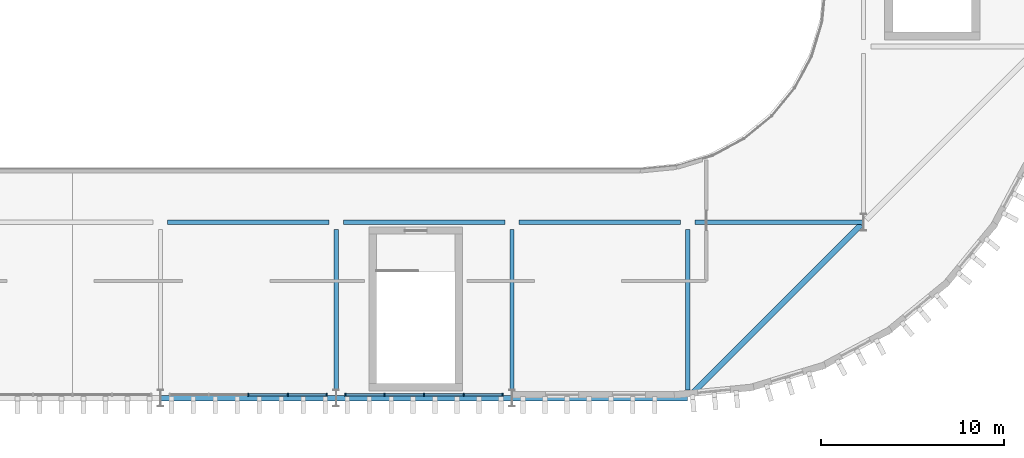
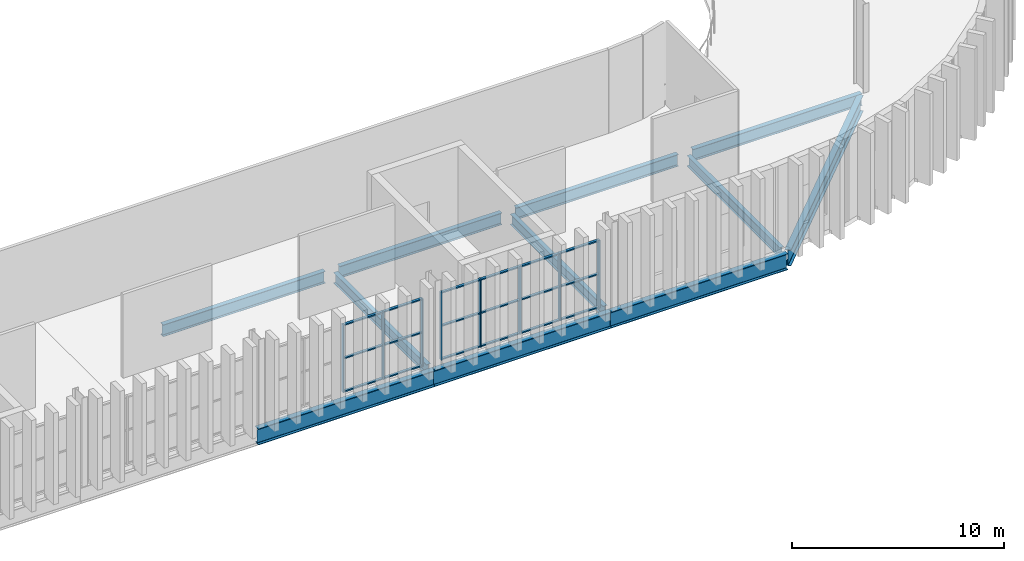
# One storey, part 14 of 45: 26 members, 11 beams, 2 elements without a shape of their own.
"""IFC4 building model written with IfcOpenShell, lengths in metres."""

from ifc_helpers import new_model, si_unit, direction, frame, origin, origin_2d, place, context, subcontext, project, spatial, rectangle, i_section, extrude, material, layer, layer_set, material_profile, profile_set, type_object, element, aggregate, save


model = new_model("IFC4")

# Units and contexts
model_context = context("Model", 3, precision=1e-05, world=origin(), true_north=direction((0.0, 1.0)))
body_context = subcontext(model_context, "Body", "Model", "MODEL_VIEW")
ifc_project = project(units=[si_unit("LENGTHUNIT", "METRE"), si_unit("AREAUNIT", "SQUARE_METRE"), si_unit("VOLUMEUNIT", "CUBIC_METRE"), si_unit("PLANEANGLEUNIT", "RADIAN"), si_unit("MASSUNIT", "GRAM", prefix="KILO")], contexts=[model_context])

# Site, building, storey
site_placement = place(None, origin())
site = spatial("IfcSite", under=ifc_project, at=site_placement, CompositionType="ELEMENT")
building_placement = place(site_placement, origin())
building = spatial("IfcBuilding", under=site, at=building_placement, Name="Caelomonte Colonnade Arena", CompositionType="ELEMENT")
storey_placement = place(building_placement, frame((0.0, 0.0, 23.10009765625)))
storey = spatial("IfcBuildingStorey", under=building, at=storey_placement, Name="L05", CompositionType="ELEMENT", Elevation=23.10009765625)

# Curtain wall, members
ifc_material_1 = material(Name="Bronze anodised aluminium and low-E glazing", Category="aluminium")
ifc_layer = layer(ifc_material_1, 0.179931640625)
ifc_layer_set = layer_set([ifc_layer], Name="Bronze anodised aluminium and low-E glazing")
curtain_wall_type = type_object("IfcCurtainWallType", Name="ENV-CW-CW-L05-96-39", PredefinedType="USERDEFINED", material=ifc_layer_set)
curtain_wall_1_placement = place(storey_placement, origin())
curtain_wall_1 = element("IfcCurtainWall", 1, at=curtain_wall_1_placement, inside=storey, type_object=curtain_wall_type, Name="L05 unitized curtain wall CW-L05-1200-0194", ObjectType="UNITIZED CURTAIN WALL", PredefinedType="USERDEFINED")
ifc_material_2 = material(Name="Bronze anodised aluminium AA6063-T6", Category="aluminium")
ifc_material_profile_1 = material_profile(ifc_material_2, rectangle(XDim=0.070068359375, YDim=0.179931640625, at=origin_2d()), Name="CWM-70X180")
ifc_profile_set_1 = profile_set([ifc_material_profile_1], Name="Bronze anodised aluminium AA6063-T6")
member_type_1 = type_object("IfcMemberType", Name="ENV-CW-MULL1", PredefinedType="MULLION", material=ifc_profile_set_1)
member_1_placement = place(storey_placement, frame((120.0, 19.3798828125, 0.0), z_axis=(0.0, 0.0, 1.0), x_axis=(1.0, 0.0, 0.0)))
member_1 = element("IfcMember", 2, at=member_1_placement, type_object=member_type_1, Name="CW-L05-96-39 mullion 3", PredefinedType="MULLION", context=body_context, shape_type="SweptSolid", body=[
    extrude(rectangle(XDim=0.070068359375, YDim=0.179931640625, at=origin_2d()), origin(), (0.0, 0.0, 1.0), 3.892822265625),
])
member_2_placement = place(storey_placement, frame((122.161376953125, 19.3798828125, 0.0), z_axis=(0.0, 0.0, 1.0), x_axis=(1.0, 0.0, 0.0)))
member_2 = element("IfcMember", 3, at=member_2_placement, type_object=member_type_1, Name="CW-L05-96-39 mullion 4", PredefinedType="MULLION", context=body_context, shape_type="SweptSolid", body=[
    extrude(rectangle(XDim=0.070068359375, YDim=0.179931640625, at=origin_2d()), origin(), (0.0, 0.0, 1.0), 3.892822265625),
])
member_3_placement = place(storey_placement, frame((124.287841796875, 19.3798828125, 0.0), z_axis=(0.0, 0.0, 1.0), x_axis=(1.0, 0.0, 0.0)))
member_3 = element("IfcMember", 4, at=member_3_placement, type_object=member_type_1, Name="CW-L05-96-39 mullion 5", PredefinedType="MULLION", context=body_context, shape_type="SweptSolid", body=[
    extrude(rectangle(XDim=0.070068359375, YDim=0.179931640625, at=origin_2d()), origin(), (0.0, 0.0, 1.0), 3.892822265625),
])

curtain_wall_2_placement = place(storey_placement, origin())
curtain_wall_2 = element("IfcCurtainWall", 5, at=curtain_wall_2_placement, inside=storey, type_object=curtain_wall_type, Name="L05 unitized curtain wall CW-L05-1296-0194", ObjectType="UNITIZED CURTAIN WALL", PredefinedType="USERDEFINED")
member_4_placement = place(storey_placement, frame((125.312255859375, 19.3798828125, 0.0), z_axis=(0.0, 0.0, 1.0), x_axis=(1.0, 0.0, 0.0)))
member_4 = element("IfcMember", 6, at=member_4_placement, type_object=member_type_1, Name="CW-L05-96-39 mullion 1", PredefinedType="MULLION", context=body_context, shape_type="SweptSolid", body=[
    extrude(rectangle(XDim=0.070068359375, YDim=0.179931640625, at=origin_2d()), origin(), (0.0, 0.0, 1.0), 3.892822265625),
])
member_5_placement = place(storey_placement, frame((127.438720703125, 19.3798828125, 0.0), z_axis=(0.0, 0.0, 1.0), x_axis=(1.0, 0.0, 0.0)))
member_5 = element("IfcMember", 7, at=member_5_placement, type_object=member_type_1, Name="CW-L05-96-39 mullion 2", PredefinedType="MULLION", context=body_context, shape_type="SweptSolid", body=[
    extrude(rectangle(XDim=0.070068359375, YDim=0.179931640625, at=origin_2d()), origin(), (0.0, 0.0, 1.0), 3.892822265625),
])
member_6_placement = place(storey_placement, frame((129.60009765625, 19.3798828125, 0.0), z_axis=(0.0, 0.0, 1.0), x_axis=(1.0, 0.0, 0.0)))
member_6 = element("IfcMember", 8, at=member_6_placement, type_object=member_type_1, Name="CW-L05-96-39 mullion 3", PredefinedType="MULLION", context=body_context, shape_type="SweptSolid", body=[
    extrude(rectangle(XDim=0.070068359375, YDim=0.179931640625, at=origin_2d()), origin(), (0.0, 0.0, 1.0), 3.892822265625),
])
member_7_placement = place(storey_placement, frame((131.761474609375, 19.3798828125, 0.0), z_axis=(0.0, 0.0, 1.0), x_axis=(1.0, 0.0, 0.0)))
member_7 = element("IfcMember", 9, at=member_7_placement, type_object=member_type_1, Name="CW-L05-96-39 mullion 4", PredefinedType="MULLION", context=body_context, shape_type="SweptSolid", body=[
    extrude(rectangle(XDim=0.070068359375, YDim=0.179931640625, at=origin_2d()), origin(), (0.0, 0.0, 1.0), 3.892822265625),
])
member_8_placement = place(storey_placement, frame((133.8876953125, 19.3798828125, 0.0), z_axis=(0.0, 0.0, 1.0), x_axis=(1.0, 0.0, 0.0)))
member_8 = element("IfcMember", 10, at=member_8_placement, type_object=member_type_1, Name="CW-L05-96-39 mullion 5", PredefinedType="MULLION", context=body_context, shape_type="SweptSolid", body=[
    extrude(rectangle(XDim=0.070068359375, YDim=0.179931640625, at=origin_2d()), origin(), (0.0, 0.0, 1.0), 3.892822265625),
])

# Member
ifc_material_profile_2 = material_profile(ifc_material_2, rectangle(XDim=0.070068359375, YDim=0.139892578125, at=origin_2d()), Name="CWT-70X140")
ifc_profile_set_2 = profile_set([ifc_material_profile_2], Name="Bronze anodised aluminium AA6063-T6")
member_type_2 = type_object("IfcMemberType", Name="ENV-CW-TRAN1", PredefinedType="USERDEFINED", material=ifc_profile_set_2)
member_9_placement = place(storey_placement, frame((120.034912109375, 19.3798828125, 0.034912109375), z_axis=(1.0, 0.0, 0.0), x_axis=(0.0, 0.0, 1.0)))
member_9 = element("IfcMember", 11, at=member_9_placement, type_object=member_type_2, Name="CW-L05-96-39 transom 3.1", ObjectType="TRANSOM", PredefinedType="USERDEFINED", context=body_context, shape_type="SweptSolid", body=[
    extrude(rectangle(XDim=0.070068359375, YDim=0.139892578125, at=origin_2d()), origin(), (0.0, 0.0, 1.0), 2.091552734375),
])

member_10_placement = place(storey_placement, frame((120.034912109375, 19.3798828125, 1.9462890625), z_axis=(1.0, 0.0, 0.0), x_axis=(0.0, 0.0, 1.0)))
member_10 = element("IfcMember", 12, at=member_10_placement, type_object=member_type_2, Name="CW-L05-96-39 transom 3.2", ObjectType="TRANSOM", PredefinedType="USERDEFINED", context=body_context, shape_type="SweptSolid", body=[
    extrude(rectangle(XDim=0.070068359375, YDim=0.139892578125, at=origin_2d()), origin(), (0.0, 0.0, 1.0), 2.091552734375),
])

member_11_placement = place(storey_placement, frame((120.034912109375, 19.3798828125, 3.85791015625), z_axis=(1.0, 0.0, 0.0), x_axis=(0.0, 0.0, 1.0)))
member_11 = element("IfcMember", 13, at=member_11_placement, type_object=member_type_2, Name="CW-L05-96-39 transom 3.3", ObjectType="TRANSOM", PredefinedType="USERDEFINED", context=body_context, shape_type="SweptSolid", body=[
    extrude(rectangle(XDim=0.070068359375, YDim=0.139892578125, at=origin_2d()), origin(), (0.0, 0.0, 1.0), 2.091552734375),
])

member_12_placement = place(storey_placement, frame((122.1962890625, 19.3798828125, 0.034912109375), z_axis=(1.0, 0.0, 0.0), x_axis=(0.0, 0.0, 1.0)))
member_12 = element("IfcMember", 14, at=member_12_placement, type_object=member_type_2, Name="CW-L05-96-39 transom 4.1", ObjectType="TRANSOM", PredefinedType="USERDEFINED", context=body_context, shape_type="SweptSolid", body=[
    extrude(rectangle(XDim=0.070068359375, YDim=0.139892578125, at=origin_2d()), origin(), (0.0, 0.0, 1.0), 2.056396484375),
])

member_13_placement = place(storey_placement, frame((122.1962890625, 19.3798828125, 1.9462890625), z_axis=(1.0, 0.0, 0.0), x_axis=(0.0, 0.0, 1.0)))
member_13 = element("IfcMember", 15, at=member_13_placement, type_object=member_type_2, Name="CW-L05-96-39 transom 4.2", ObjectType="TRANSOM", PredefinedType="USERDEFINED", context=body_context, shape_type="SweptSolid", body=[
    extrude(rectangle(XDim=0.070068359375, YDim=0.139892578125, at=origin_2d()), origin(), (0.0, 0.0, 1.0), 2.056396484375),
])

member_14_placement = place(storey_placement, frame((122.1962890625, 19.3798828125, 3.85791015625), z_axis=(1.0, 0.0, 0.0), x_axis=(0.0, 0.0, 1.0)))
member_14 = element("IfcMember", 16, at=member_14_placement, type_object=member_type_2, Name="CW-L05-96-39 transom 4.3", ObjectType="TRANSOM", PredefinedType="USERDEFINED", context=body_context, shape_type="SweptSolid", body=[
    extrude(rectangle(XDim=0.070068359375, YDim=0.139892578125, at=origin_2d()), origin(), (0.0, 0.0, 1.0), 2.056396484375),
])

aggregate(curtain_wall_1, [member_1, member_2, member_3, member_9, member_10, member_11, member_12, member_13, member_14])

member_15_placement = place(storey_placement, frame((125.34716796875, 19.3798828125, 0.034912109375), z_axis=(1.0, 0.0, 0.0), x_axis=(0.0, 0.0, 1.0)))
member_15 = element("IfcMember", 17, at=member_15_placement, type_object=member_type_2, Name="CW-L05-96-39 transom 1.1", ObjectType="TRANSOM", PredefinedType="USERDEFINED", context=body_context, shape_type="SweptSolid", body=[
    extrude(rectangle(XDim=0.070068359375, YDim=0.139892578125, at=origin_2d()), origin(), (0.0, 0.0, 1.0), 2.056396484375),
])

member_16_placement = place(storey_placement, frame((125.34716796875, 19.3798828125, 1.9462890625), z_axis=(1.0, 0.0, 0.0), x_axis=(0.0, 0.0, 1.0)))
member_16 = element("IfcMember", 18, at=member_16_placement, type_object=member_type_2, Name="CW-L05-96-39 transom 1.2", ObjectType="TRANSOM", PredefinedType="USERDEFINED", context=body_context, shape_type="SweptSolid", body=[
    extrude(rectangle(XDim=0.070068359375, YDim=0.139892578125, at=origin_2d()), origin(), (0.0, 0.0, 1.0), 2.056396484375),
])

member_17_placement = place(storey_placement, frame((125.34716796875, 19.3798828125, 3.85791015625), z_axis=(1.0, 0.0, 0.0), x_axis=(0.0, 0.0, 1.0)))
member_17 = element("IfcMember", 19, at=member_17_placement, type_object=member_type_2, Name="CW-L05-96-39 transom 1.3", ObjectType="TRANSOM", PredefinedType="USERDEFINED", context=body_context, shape_type="SweptSolid", body=[
    extrude(rectangle(XDim=0.070068359375, YDim=0.139892578125, at=origin_2d()), origin(), (0.0, 0.0, 1.0), 2.056396484375),
])

member_18_placement = place(storey_placement, frame((127.4736328125, 19.3798828125, 0.034912109375), z_axis=(1.0, 0.0, 0.0), x_axis=(0.0, 0.0, 1.0)))
member_18 = element("IfcMember", 20, at=member_18_placement, type_object=member_type_2, Name="CW-L05-96-39 transom 2.1", ObjectType="TRANSOM", PredefinedType="USERDEFINED", context=body_context, shape_type="SweptSolid", body=[
    extrude(rectangle(XDim=0.070068359375, YDim=0.139892578125, at=origin_2d()), origin(), (0.0, 0.0, 1.0), 2.09130859375),
])

member_19_placement = place(storey_placement, frame((127.4736328125, 19.3798828125, 1.9462890625), z_axis=(1.0, 0.0, 0.0), x_axis=(0.0, 0.0, 1.0)))
member_19 = element("IfcMember", 21, at=member_19_placement, type_object=member_type_2, Name="CW-L05-96-39 transom 2.2", ObjectType="TRANSOM", PredefinedType="USERDEFINED", context=body_context, shape_type="SweptSolid", body=[
    extrude(rectangle(XDim=0.070068359375, YDim=0.139892578125, at=origin_2d()), origin(), (0.0, 0.0, 1.0), 2.09130859375),
])

member_20_placement = place(storey_placement, frame((127.4736328125, 19.3798828125, 3.85791015625), z_axis=(1.0, 0.0, 0.0), x_axis=(0.0, 0.0, 1.0)))
member_20 = element("IfcMember", 22, at=member_20_placement, type_object=member_type_2, Name="CW-L05-96-39 transom 2.3", ObjectType="TRANSOM", PredefinedType="USERDEFINED", context=body_context, shape_type="SweptSolid", body=[
    extrude(rectangle(XDim=0.070068359375, YDim=0.139892578125, at=origin_2d()), origin(), (0.0, 0.0, 1.0), 2.09130859375),
])

member_21_placement = place(storey_placement, frame((129.635009765625, 19.3798828125, 0.034912109375), z_axis=(1.0, 0.0, 0.0), x_axis=(0.0, 0.0, 1.0)))
member_21 = element("IfcMember", 23, at=member_21_placement, type_object=member_type_2, Name="CW-L05-96-39 transom 3.1", ObjectType="TRANSOM", PredefinedType="USERDEFINED", context=body_context, shape_type="SweptSolid", body=[
    extrude(rectangle(XDim=0.070068359375, YDim=0.139892578125, at=origin_2d()), origin(), (0.0, 0.0, 1.0), 2.09130859375),
])

member_22_placement = place(storey_placement, frame((129.635009765625, 19.3798828125, 1.9462890625), z_axis=(1.0, 0.0, 0.0), x_axis=(0.0, 0.0, 1.0)))
member_22 = element("IfcMember", 24, at=member_22_placement, type_object=member_type_2, Name="CW-L05-96-39 transom 3.2", ObjectType="TRANSOM", PredefinedType="USERDEFINED", context=body_context, shape_type="SweptSolid", body=[
    extrude(rectangle(XDim=0.070068359375, YDim=0.139892578125, at=origin_2d()), origin(), (0.0, 0.0, 1.0), 2.09130859375),
])

member_23_placement = place(storey_placement, frame((129.635009765625, 19.3798828125, 3.85791015625), z_axis=(1.0, 0.0, 0.0), x_axis=(0.0, 0.0, 1.0)))
member_23 = element("IfcMember", 25, at=member_23_placement, type_object=member_type_2, Name="CW-L05-96-39 transom 3.3", ObjectType="TRANSOM", PredefinedType="USERDEFINED", context=body_context, shape_type="SweptSolid", body=[
    extrude(rectangle(XDim=0.070068359375, YDim=0.139892578125, at=origin_2d()), origin(), (0.0, 0.0, 1.0), 2.09130859375),
])

member_24_placement = place(storey_placement, frame((131.79638671875, 19.3798828125, 0.034912109375), z_axis=(1.0, 0.0, 0.0), x_axis=(0.0, 0.0, 1.0)))
member_24 = element("IfcMember", 26, at=member_24_placement, type_object=member_type_2, Name="CW-L05-96-39 transom 4.1", ObjectType="TRANSOM", PredefinedType="USERDEFINED", context=body_context, shape_type="SweptSolid", body=[
    extrude(rectangle(XDim=0.070068359375, YDim=0.139892578125, at=origin_2d()), origin(), (0.0, 0.0, 1.0), 2.056396484375),
])

member_25_placement = place(storey_placement, frame((131.79638671875, 19.3798828125, 1.9462890625), z_axis=(1.0, 0.0, 0.0), x_axis=(0.0, 0.0, 1.0)))
member_25 = element("IfcMember", 27, at=member_25_placement, type_object=member_type_2, Name="CW-L05-96-39 transom 4.2", ObjectType="TRANSOM", PredefinedType="USERDEFINED", context=body_context, shape_type="SweptSolid", body=[
    extrude(rectangle(XDim=0.070068359375, YDim=0.139892578125, at=origin_2d()), origin(), (0.0, 0.0, 1.0), 2.056396484375),
])

member_26_placement = place(storey_placement, frame((131.79638671875, 19.3798828125, 3.85791015625), z_axis=(1.0, 0.0, 0.0), x_axis=(0.0, 0.0, 1.0)))
member_26 = element("IfcMember", 28, at=member_26_placement, type_object=member_type_2, Name="CW-L05-96-39 transom 4.3", ObjectType="TRANSOM", PredefinedType="USERDEFINED", context=body_context, shape_type="SweptSolid", body=[
    extrude(rectangle(XDim=0.070068359375, YDim=0.139892578125, at=origin_2d()), origin(), (0.0, 0.0, 1.0), 2.056396484375),
])

aggregate(curtain_wall_2, [member_4, member_5, member_6, member_7, member_8, member_15, member_16, member_17, member_18, member_19, member_20, member_21, member_22, member_23, member_24, member_25, member_26])

# Beams
ifc_material_3 = material(Name="Wide-flange steel ASTM A992 Grade 50", Category="steel")
ifc_material_profile_3 = material_profile(ifc_material_3, i_section(OverallWidth=0.307861328125, OverallDepth=0.927001953125, WebThickness=0.019287109375, FlangeThickness=0.031982421875, FilletRadius=0.020263671875, at=origin_2d()), Name="W36X194")
ifc_profile_set_3 = profile_set([ifc_material_profile_3], Name="Wide-flange steel ASTM A992 Grade 50")
beam_type_1 = type_object("IfcBeamType", Name="STR-BM-EAVES2", PredefinedType="SPANDREL", material=ifc_profile_set_3)
beam_1_placement = place(storey_placement, frame((115.209716796875, 19.199951171875, -0.7236328125), z_axis=(1.0, 0.0, 0.0), x_axis=(0.0, 1.0, 0.0)))
element("IfcBeam", 29, at=beam_1_placement, inside=storey, type_object=beam_type_1, Name="L05 girder BMX-L05-1152-0192", PredefinedType="SPANDREL", context=body_context, shape_type="SweptSolid", body=[
    extrude(i_section(OverallWidth=0.307861328125, OverallDepth=0.927001953125, WebThickness=0.019287109375, FlangeThickness=0.031982421875, FilletRadius=0.020263671875, at=origin_2d()), origin(), (0.0, 0.0, 1.0), 9.58056640625),
])
for number, where, z_axis, x_axis, name in (
    (30, (124.8095703125, 19.199951171875, -0.7236328125), (1.0, 0.0, 0.0), (0.0, 1.0, 0.0), "L05 girder BMX-L05-1248-0192"),
    (31, (134.40966796875, 19.199951171875, -0.7236328125), (1.0, 0.0, 0.0), (0.0, 1.0, 0.0), "L05 girder BMX-L05-1344-0192"),
):
    element("IfcBeam", number, at=place(storey_placement, frame(where, z_axis=z_axis, x_axis=x_axis)), inside=storey, type_object=beam_type_1, Name=name, PredefinedType="SPANDREL", context=body_context, shape_type="SweptSolid", body=[
        extrude(i_section(OverallWidth=0.307861328125, OverallDepth=0.927001953125, WebThickness=0.019287109375, FlangeThickness=0.031982421875, FilletRadius=0.020263671875, at=origin_2d()), origin(), (0.0, 0.0, 1.0), 9.580810546875),
    ])
beam_2_placement = place(storey_placement, frame((144.14208984375, 19.34228515625, -0.7236328125), z_axis=(0.707116047002, 0.70709751525, 0.0), x_axis=(-0.70709751525, 0.707116047002, 0.0)))
element("IfcBeam", 32, at=beam_2_placement, inside=storey, type_object=beam_type_1, Name="L05 drum corner ring girder 3", PredefinedType="SPANDREL", context=body_context, shape_type="SweptSolid", body=[
    extrude(i_section(OverallWidth=0.307861328125, OverallDepth=0.927001953125, WebThickness=0.019287109375, FlangeThickness=0.031982421875, FilletRadius=0.020263671875, at=origin_2d()), origin(), (0.0, 0.0, 1.0), 13.174072265625),
])
ifc_material_profile_4 = material_profile(ifc_material_3, i_section(OverallWidth=0.227783203125, OverallDepth=0.60205078125, WebThickness=0.010498046875, FlangeThickness=0.014892578125, FilletRadius=0.0126953125, at=origin_2d()), Name="W24X68")
ifc_profile_set_4 = profile_set([ifc_material_profile_4], Name="Wide-flange steel ASTM A992 Grade 50")
beam_type_2 = type_object("IfcBeamType", Name="STR-BM-GIRD24B", PredefinedType="SPANDREL", material=ifc_profile_set_4)
for number, where, z_axis, x_axis, name in (
    (33, (124.800048828125, 19.655517578125, -0.56103515625), (0.0, 1.0, 0.0), (-1.0, 0.0, 0.0), "L05 girder BMY-L05-1248-0192"),
    (34, (134.39990234375, 19.655517578125, -0.56103515625), (0.0, 1.0, 0.0), (-1.0, 0.0, 0.0), "L05 girder BMY-L05-1344-0192"),
    (35, (144.0, 19.655517578125, -0.56103515625), (0.0, 1.0, 0.0), (-1.0, 0.0, 0.0), "L05 girder BMY-L05-1440-0192"),
):
    element("IfcBeam", number, at=place(storey_placement, frame(where, z_axis=z_axis, x_axis=x_axis)), inside=storey, type_object=beam_type_2, Name=name, PredefinedType="SPANDREL", context=body_context, shape_type="SweptSolid", body=[
        extrude(i_section(OverallWidth=0.227783203125, OverallDepth=0.60205078125, WebThickness=0.010498046875, FlangeThickness=0.014892578125, FilletRadius=0.0126953125, at=origin_2d()), origin(), (0.0, 0.0, 1.0), 8.75244140625),
    ])
ifc_material_profile_5 = material_profile(ifc_material_3, i_section(OverallWidth=0.2529296875, OverallDepth=0.67822265625, WebThickness=0.01171875, FlangeThickness=0.016357421875, FilletRadius=0.01513671875, at=origin_2d()), Name="W27X84")
ifc_profile_set_5 = profile_set([ifc_material_profile_5], Name="Wide-flange steel ASTM A992 Grade 50")
beam_type_3 = type_object("IfcBeamType", Name="STR-BM-GIRD27B", PredefinedType="BEAM", material=ifc_profile_set_5)
beam_3_placement = place(storey_placement, frame((115.592041015625, 28.800048828125, -0.59912109375), z_axis=(1.0, 0.0, 0.0), x_axis=(0.0, 1.0, 0.0)))
element("IfcBeam", 36, at=beam_3_placement, inside=storey, type_object=beam_type_3, Name="L05 girder BMX-L05-1152-0288", PredefinedType="BEAM", context=body_context, shape_type="SweptSolid", body=[
    extrude(i_section(OverallWidth=0.2529296875, OverallDepth=0.67822265625, WebThickness=0.01171875, FlangeThickness=0.016357421875, FilletRadius=0.01513671875, at=origin_2d()), origin(), (0.0, 0.0, 1.0), 8.81591796875),
])
beam_4_placement = place(storey_placement, frame((125.19189453125, 28.800048828125, -0.59912109375), z_axis=(1.0, 0.0, 0.0), x_axis=(0.0, 1.0, 0.0)))
element("IfcBeam", 37, at=beam_4_placement, inside=storey, type_object=beam_type_3, Name="L05 girder BMX-L05-1248-0288", PredefinedType="BEAM", context=body_context, shape_type="SweptSolid", body=[
    extrude(i_section(OverallWidth=0.2529296875, OverallDepth=0.67822265625, WebThickness=0.01171875, FlangeThickness=0.016357421875, FilletRadius=0.01513671875, at=origin_2d()), origin(), (0.0, 0.0, 1.0), 8.816162109375),
])
beam_5_placement = place(storey_placement, frame((134.7919921875, 28.800048828125, -0.59912109375), z_axis=(1.0, 0.0, 0.0), x_axis=(0.0, 1.0, 0.0)))
element("IfcBeam", 38, at=beam_5_placement, inside=storey, type_object=beam_type_3, Name="L05 girder BMX-L05-1344-0288", PredefinedType="BEAM", context=body_context, shape_type="SweptSolid", body=[
    extrude(i_section(OverallWidth=0.2529296875, OverallDepth=0.67822265625, WebThickness=0.01171875, FlangeThickness=0.016357421875, FilletRadius=0.01513671875, at=origin_2d()), origin(), (0.0, 0.0, 1.0), 8.81591796875),
])
beam_6_placement = place(storey_placement, frame((144.39208984375, 28.800048828125, -0.59912109375), z_axis=(1.0, 0.0, 0.0), x_axis=(0.0, 1.0, 0.0)))
element("IfcBeam", 39, at=beam_6_placement, inside=storey, type_object=beam_type_3, Name="L05 girder BMX-L05-1440-0288", PredefinedType="BEAM", context=body_context, shape_type="SweptSolid", body=[
    extrude(i_section(OverallWidth=0.2529296875, OverallDepth=0.67822265625, WebThickness=0.01171875, FlangeThickness=0.016357421875, FilletRadius=0.01513671875, at=origin_2d()), origin(), (0.0, 0.0, 1.0), 9.1982421875),
])

save(model, "model.ifc")
